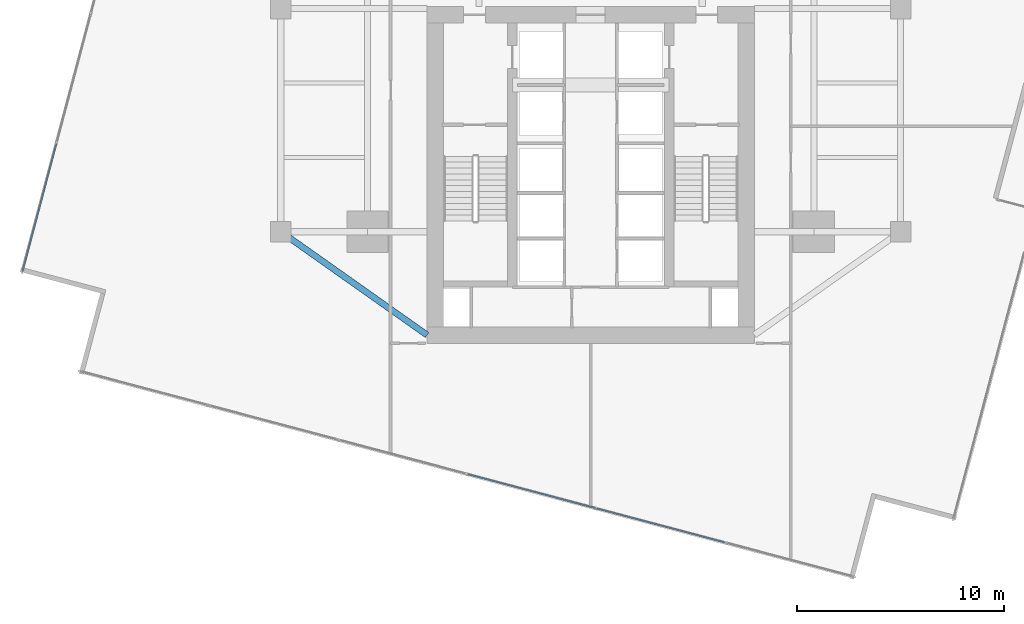
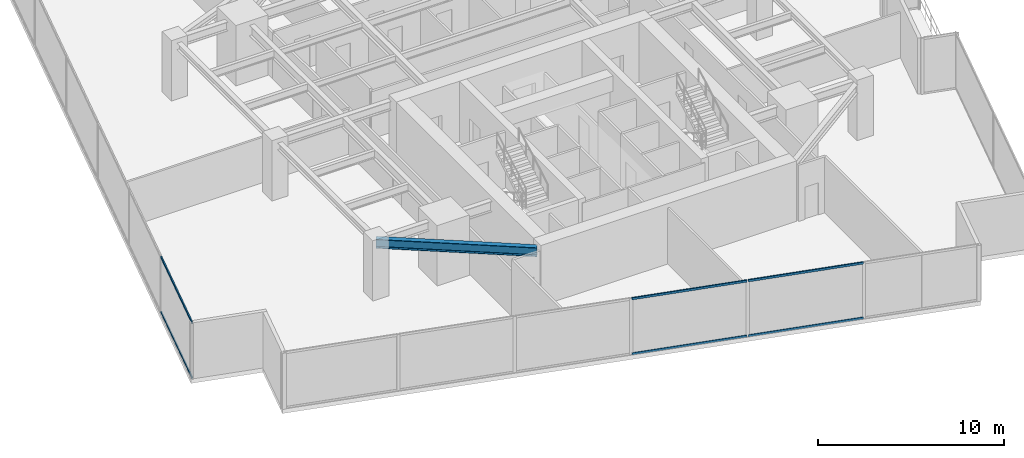
# One storey, part 5 of 27: 6 members, 1 beam, 2 elements without a shape of their own.
"""IFC4 building model written with IfcOpenShell, lengths in metres."""

from ifc_helpers import new_model, si_unit, direction, frame, origin, origin_2d, place, context, subcontext, project, spatial, hollow_rectangle, i_section, extrude, source, transform, mapped, material, material_profile, profile_set, type_object, type_shapes, element, aggregate, save


model = new_model("IFC4")

# Units and contexts
model_context = context("Model", 3, precision=1e-05, world=origin(), true_north=direction((0.0, 1.0)))
body_context = subcontext(model_context, "Body", "Model", "MODEL_VIEW")
ifc_project = project(units=[si_unit("LENGTHUNIT", "METRE"), si_unit("AREAUNIT", "SQUARE_METRE"), si_unit("VOLUMEUNIT", "CUBIC_METRE"), si_unit("PLANEANGLEUNIT", "RADIAN"), si_unit("MASSUNIT", "GRAM", prefix="KILO")], contexts=[model_context])

# Site, building, storey
site_placement = place(None, origin())
site = spatial("IfcSite", under=ifc_project, at=site_placement, CompositionType="ELEMENT")
building_placement = place(site_placement, origin())
building = spatial("IfcBuilding", under=site, at=building_placement, Name="Krantzveldt Concourse Tower", CompositionType="ELEMENT")
storey_placement = place(building_placement, frame((0.0, 0.0, 101.89990234375)))
storey = spatial("IfcBuildingStorey", under=building, at=storey_placement, Name="L24", CompositionType="ELEMENT", Elevation=101.89990234375)

# Beam
ifc_material_1 = material(Name="Steel S355JR", Category="steel")
ifc_material_profile_1 = material_profile(ifc_material_1, i_section(OverallWidth=0.300048828125, OverallDepth=0.590087890625, WebThickness=0.012939453125, FlangeThickness=0.02490234375, FilletRadius=0.027099609375, at=origin_2d()), Name="Steel S355JR", Category="steel")
ifc_profile_set_1 = profile_set([ifc_material_profile_1], Name="Steel S355JR - HEA 600")
beam_type = type_object("IfcBeamType", Name="BM-B-HEA600", PredefinedType="BEAM", material=ifc_profile_set_1)
shared_shape_1 = source(origin(), body_context, "Body", "SweptSolid", [
    extrude(i_section(OverallWidth=0.300048828125, OverallDepth=0.590087890625, WebThickness=0.012939453125, FlangeThickness=0.02490234375, FilletRadius=0.027099609375, at=origin_2d()), origin(), (0.0, 0.0, 1.0), 8.667724609375),
])
type_shapes(beam_type, [shared_shape_1])
beam_placement = place(storey_placement, frame((21.0, 15.89990234375, 3.375), z_axis=(0.81684294656, -0.576860122261, 0.0), x_axis=(0.576860122261, 0.81684294656, 0.0)))
element("IfcBeam", 1, at=beam_placement, inside=storey, type_object=beam_type, Name="L24 Tower Girder BR-CSW", PredefinedType="BEAM", context=body_context, shape_type="MappedRepresentation", body=[
    mapped(shared_shape_1, transform((0.0, 0.0, 0.0), x_axis=(1.0, 0.0, 0.0), y_axis=(0.0, 1.0, 0.0), z_axis=(0.0, 0.0, 1.0), scale=1.0)),
])

# Curtain wall, members
ifc_material_2 = material(Name="Anodised aluminium 6063-T6", Category="aluminium")
curtain_wall_type = type_object("IfcCurtainWallType", Name="CW2", PredefinedType="USERDEFINED", material=ifc_material_2)
curtain_wall_1_placement = place(storey_placement, origin())
curtain_wall_1 = element("IfcCurtainWall", 2, at=curtain_wall_1_placement, inside=storey, type_object=curtain_wall_type, Name="CW-L24-F01", ObjectType="UNITISED CURTAIN WALL", PredefinedType="USERDEFINED")
ifc_material_profile_2 = material_profile(ifc_material_2, hollow_rectangle(XDim=0.070068359375, YDim=0.139892578125, WallThickness=0.0048828125, at=origin_2d()), Name="Anodised aluminium 6063-T6", Category="aluminium")
ifc_profile_set_2 = profile_set([ifc_material_profile_2], Name="Anodised aluminium 6063-T6 - ALU-TRAN 140x70x5")
member_type = type_object("IfcMemberType", Name="CW-TRN-150", PredefinedType="USERDEFINED", material=ifc_profile_set_2)
shared_shape_2 = source(origin(), body_context, "Body", "SweptSolid", [
    extrude(hollow_rectangle(XDim=0.070068359375, YDim=0.139892578125, WallThickness=0.0048828125, at=origin_2d()), origin(), (0.0, 0.0, 1.0), 6.361572265625),
])
member_1_placement = place(storey_placement, frame((10.14208984375, 20.150146484375, 0.03515625), z_axis=(-0.256704687877, -0.966489887801, 0.0), x_axis=(0.966489887801, -0.256704687877, 0.0)))
member_1 = element("IfcMember", 3, at=member_1_placement, type_object=member_type, Name="CW-Z12 transom 6.1", ObjectType="TRANSOM", PredefinedType="USERDEFINED", context=body_context, shape_type="MappedRepresentation", body=[
    mapped(shared_shape_2, transform((0.0, 0.0, 0.0), x_axis=(1.0, 0.0, 0.0), y_axis=(0.0, 1.0, 0.0), z_axis=(0.0, 0.0, 1.0), scale=1.0)),
])
member_2_placement = place(storey_placement, frame((10.14208984375, 20.150146484375, 3.635009765625), z_axis=(-0.256704687877, -0.966489887801, 0.0), x_axis=(0.966489887801, -0.256704687877, 0.0)))
member_2 = element("IfcMember", 4, at=member_2_placement, type_object=member_type, Name="CW-Z12 transom 6.2", ObjectType="TRANSOM", PredefinedType="USERDEFINED", context=body_context, shape_type="MappedRepresentation", body=[
    mapped(shared_shape_2, transform((0.0, 0.0, 0.0), x_axis=(1.0, 0.0, 0.0), y_axis=(0.0, 1.0, 0.0), z_axis=(0.0, 0.0, 1.0), scale=1.0)),
])
aggregate(curtain_wall_1, [member_1, member_2])

curtain_wall_2_placement = place(storey_placement, origin())
curtain_wall_2 = element("IfcCurtainWall", 5, at=curtain_wall_2_placement, inside=storey, type_object=curtain_wall_type, Name="CW-L24-F04", ObjectType="UNITISED CURTAIN WALL", PredefinedType="USERDEFINED")
shared_shape_3 = source(origin(), body_context, "Body", "SweptSolid", [
    extrude(hollow_rectangle(XDim=0.070068359375, YDim=0.139892578125, WallThickness=0.0048828125, at=origin_2d()), origin(), (0.0, 0.0, 1.0), 6.396728515625),
])
type_shapes(member_type, [shared_shape_2, shared_shape_3])
member_3_placement = place(storey_placement, frame((30.0498046875, 4.162109375, 0.03515625), z_axis=(0.966489121884, -0.256707571528, 0.0), x_axis=(0.256707571528, 0.966489121884, 0.0)))
member_3 = element("IfcMember", 6, at=member_3_placement, type_object=member_type, Name="CW-Z12 transom 4.1", ObjectType="TRANSOM", PredefinedType="USERDEFINED", context=body_context, shape_type="MappedRepresentation", body=[
    mapped(shared_shape_3, transform((0.0, 0.0, 0.0), x_axis=(1.0, 0.0, 0.0), y_axis=(0.0, 1.0, 0.0), z_axis=(0.0, 0.0, 1.0), scale=1.0)),
])
member_4_placement = place(storey_placement, frame((30.0498046875, 4.162109375, 3.635009765625), z_axis=(0.966489121884, -0.256707571528, 0.0), x_axis=(0.256707571528, 0.966489121884, 0.0)))
member_4 = element("IfcMember", 7, at=member_4_placement, type_object=member_type, Name="CW-Z12 transom 4.2", ObjectType="TRANSOM", PredefinedType="USERDEFINED", context=body_context, shape_type="MappedRepresentation", body=[
    mapped(shared_shape_3, transform((0.0, 0.0, 0.0), x_axis=(1.0, 0.0, 0.0), y_axis=(0.0, 1.0, 0.0), z_axis=(0.0, 0.0, 1.0), scale=1.0)),
])
member_5_placement = place(storey_placement, frame((36.2998046875, 2.502197265625, 0.03515625), z_axis=(0.966489121884, -0.256707571528, 0.0), x_axis=(0.256707571528, 0.966489121884, 0.0)))
member_5 = element("IfcMember", 8, at=member_5_placement, type_object=member_type, Name="CW-Z12 transom 5.1", ObjectType="TRANSOM", PredefinedType="USERDEFINED", context=body_context, shape_type="MappedRepresentation", body=[
    mapped(shared_shape_3, transform((0.0, 0.0, 0.0), x_axis=(1.0, 0.0, 0.0), y_axis=(0.0, 1.0, 0.0), z_axis=(0.0, 0.0, 1.0), scale=1.0)),
])
member_6_placement = place(storey_placement, frame((36.2998046875, 2.502197265625, 3.635009765625), z_axis=(0.966489121884, -0.256707571528, 0.0), x_axis=(0.256707571528, 0.966489121884, 0.0)))
member_6 = element("IfcMember", 9, at=member_6_placement, type_object=member_type, Name="CW-Z12 transom 5.2", ObjectType="TRANSOM", PredefinedType="USERDEFINED", context=body_context, shape_type="MappedRepresentation", body=[
    mapped(shared_shape_3, transform((0.0, 0.0, 0.0), x_axis=(1.0, 0.0, 0.0), y_axis=(0.0, 1.0, 0.0), z_axis=(0.0, 0.0, 1.0), scale=1.0)),
])
aggregate(curtain_wall_2, [member_3, member_4, member_5, member_6])

save(model, "model.ifc")
